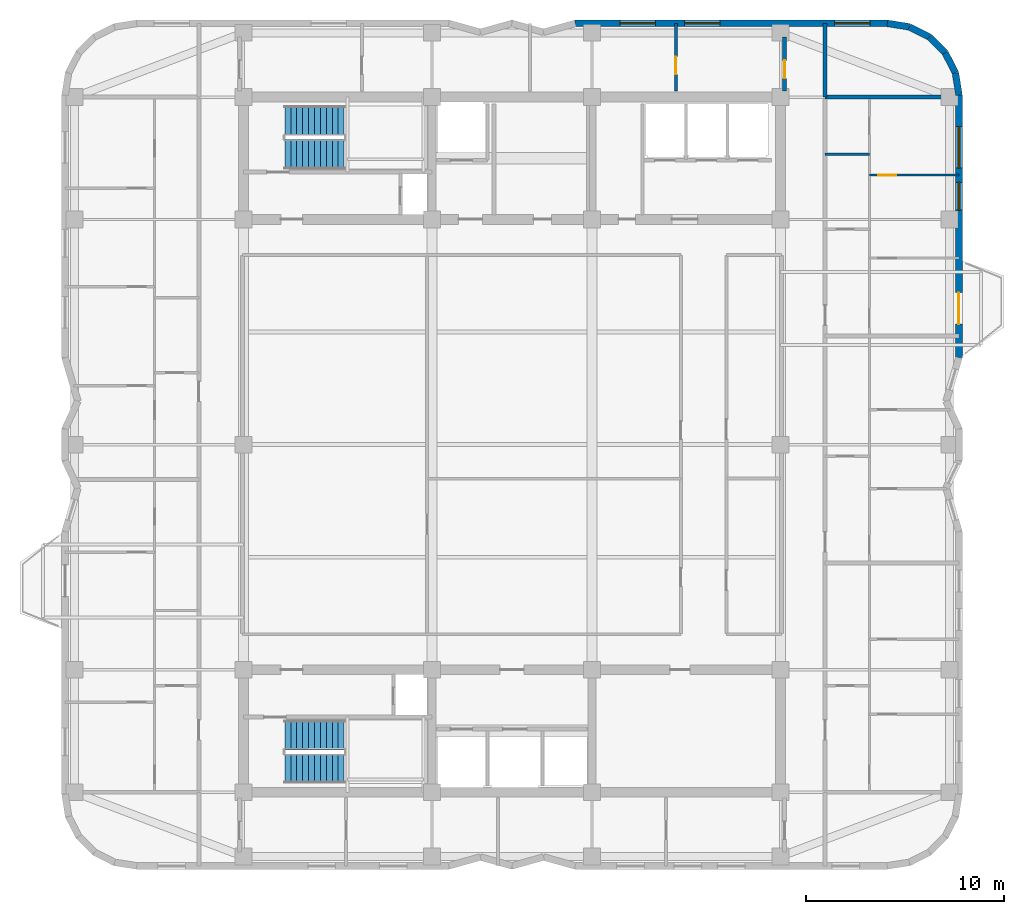
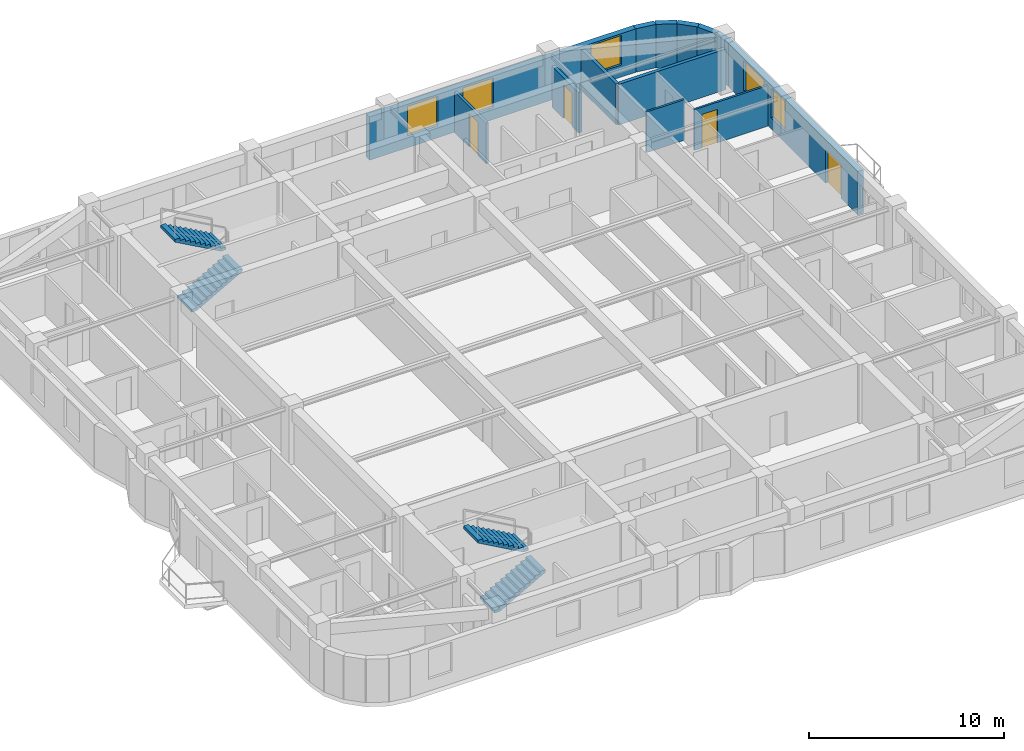
# One storey, part 7 of 9: 13 walls, 5 windows, 4 doors, 4 stair flights, 9 openings, 2 elements without a shape of their own.
"""IFC4 building model written with IfcOpenShell, lengths in metres."""

import ifcopenshell
import ifcopenshell.guid

model = None  # the IFC model being written
_history = None  # IfcOwnerHistory: only IFC2X3 demands one
_inside = {}  # id of a spatial element -> (the spatial element, [elements in it])
_under = {}  # id of a project, library or spatial element -> (it, [spatial elements below it])
_declared = {}  # id of a project -> (the project, [libraries it declares])
_typed = {}  # id of a type object -> (the type object, [elements of that type])
_made_of = {}  # id of a material, layer set ... -> (it, [elements and type objects made of it])


def new_model(schema):
    """Start an empty IFC model of exactly this schema.

    Asked for "IFC4X3", IfcOpenShell would pick the latest addendum, in which some entities
    have other attributes; the version numbers below select the first issue.
    IFC2X3 requires an IfcOwnerHistory on every rooted entity: one is made here for all.
    """
    global model, _history
    if schema == "IFC4X3":
        model = ifcopenshell.file(schema_version=(4, 3, 0, 0))
    else:
        model = ifcopenshell.file(schema=schema)
    _inside.clear()
    _under.clear()
    _declared.clear()
    _typed.clear()
    _made_of.clear()
    _history = None
    if model.schema == "IFC2X3":
        org = make("IfcOrganization", Name="unknown")
        user = make(
            "IfcPersonAndOrganization",
            ThePerson=make("IfcPerson", FamilyName="unknown"),
            TheOrganization=org,
        )
        app = make(
            "IfcApplication",
            ApplicationDeveloper=org,
            Version="unknown",
            ApplicationFullName="unknown",
            ApplicationIdentifier="unknown",
        )
        _history = make(
            "IfcOwnerHistory",
            OwningUser=user,
            OwningApplication=app,
            ChangeAction="ADDED",
            CreationDate=0,
        )
    return model


def make(cls, **values):
    """One entity of the class cls with the attributes given. An attribute that is None is left unset."""
    return model.create_entity(
        cls, **{name: value for name, value in values.items() if value is not None}
    )


def rooted(cls, **values):
    """An entity with a GlobalId (a new one), such as an element, a storey or a relation."""
    return make(cls, GlobalId=ifcopenshell.guid.new(), OwnerHistory=_history, **values)


def si_unit(unit_type, name, prefix=None):
    """IfcSIUnit, for example si_unit("LENGTHUNIT", "METRE", prefix="MILLI")."""
    return make("IfcSIUnit", UnitType=unit_type, Prefix=prefix, Name=name)


def assignment(units):
    """IfcUnitAssignment: the units of a project."""
    return None if units is None else make("IfcUnitAssignment", Units=units)


def point(xyz):
    """IfcCartesianPoint."""
    return None if xyz is None else make("IfcCartesianPoint", Coordinates=xyz)


def direction(xyz):
    """IfcDirection."""
    return None if xyz is None else make("IfcDirection", DirectionRatios=xyz)


def frame(location, z_axis=None, x_axis=None):
    """IfcAxis2Placement3D, a coordinate frame: its origin and axes. An axis left out is left unset."""
    return make(
        "IfcAxis2Placement3D",
        Location=point(location),
        Axis=direction(z_axis),
        RefDirection=direction(x_axis),
    )


def frame_2d(location, x_axis=None):
    """IfcAxis2Placement2D, a coordinate frame in the plane: its origin and x axis."""
    return make(
        "IfcAxis2Placement2D", Location=point(location), RefDirection=direction(x_axis)
    )


def origin():
    """The frame at (0, 0, 0) with its axes left unset."""
    return frame((0.0, 0.0, 0.0))


def place(relative_to, where):
    """IfcLocalPlacement: puts the frame where relative to a parent placement (None: the world)."""
    return make(
        "IfcLocalPlacement", PlacementRelTo=relative_to, RelativePlacement=where
    )


def context(
    kind, dimensions, precision=None, world=None, true_north=None, identifier=None
):
    """IfcGeometricRepresentationContext, for example the 3D "Model" context."""
    return make(
        "IfcGeometricRepresentationContext",
        ContextIdentifier=identifier,
        ContextType=kind,
        CoordinateSpaceDimension=dimensions,
        Precision=precision,
        WorldCoordinateSystem=world,
        TrueNorth=true_north,
    )


def subcontext(parent, identifier, kind, view, scale=None):
    """IfcGeometricRepresentationSubContext, for example "Body" below "Model"."""
    return make(
        "IfcGeometricRepresentationSubContext",
        ContextIdentifier=identifier,
        ContextType=kind,
        ParentContext=parent,
        TargetScale=scale,
        TargetView=view,
    )


def project(units=None, contexts=None):
    """IfcProject with its units and contexts."""
    return rooted(
        "IfcProject",
        Name="project",
        RepresentationContexts=contexts,
        UnitsInContext=assignment(units),
    )


def spatial(cls, under=None, at=None, **own):
    """A site, building, storey or space (cls), placed at a placement, below another one or the project."""
    s = rooted(cls, ObjectPlacement=at, **own)
    if under is not None:
        _under.setdefault(under.id(), (under, []))[1].append(s)
    return s


def polyline(points):
    """IfcPolyline through the points."""
    return make("IfcPolyline", Points=[point(p) for p in points])


def profile(cls, at=None, kind="AREA", **sizes):
    """A parametric profile (cls). Its sizes go by their IFC names, for example OverallWidth=200.0."""
    return make(cls, ProfileType=kind, Position=at, **sizes)


def rectangle(**sizes):
    """IfcRectangleProfileDef."""
    return profile("IfcRectangleProfileDef", **sizes)


def outline(outer, holes=None, kind="AREA"):
    """IfcArbitraryClosedProfileDef: a profile drawn as a closed curve; with holes, ...WithVoids."""
    if holes is None:
        return make("IfcArbitraryClosedProfileDef", ProfileType=kind, OuterCurve=outer)
    return make(
        "IfcArbitraryProfileDefWithVoids",
        ProfileType=kind,
        OuterCurve=outer,
        InnerCurves=holes,
    )


def extrude(swept, where, along, depth):
    """IfcExtrudedAreaSolid: the profile swept, set in the frame where, extruded along a direction by depth."""
    return make(
        "IfcExtrudedAreaSolid",
        SweptArea=swept,
        Position=where,
        ExtrudedDirection=direction(along),
        Depth=depth,
    )


def shape(context_of_items, identifier, shape_type, items):
    """IfcShapeRepresentation: the items that make up one representation, for example the "Body"."""
    return make(
        "IfcShapeRepresentation",
        ContextOfItems=context_of_items,
        RepresentationIdentifier=identifier,
        RepresentationType=shape_type,
        Items=items,
    )


def material(Name=None, Category=None):
    """IfcMaterial."""
    return make("IfcMaterial", Name=Name, Category=Category)


def layer(
    of_material, thickness, ventilated=None, Name=None, Category=None, Priority=None
):
    """IfcMaterialLayer: one layer of a wall or slab, of a material (None: an air gap)."""
    return make(
        "IfcMaterialLayer",
        Material=of_material,
        LayerThickness=thickness,
        IsVentilated=ventilated,
        Name=Name,
        Category=Category,
        Priority=Priority,
    )


def layer_set(layers, Name=None):
    """IfcMaterialLayerSet."""
    return make("IfcMaterialLayerSet", MaterialLayers=layers, LayerSetName=Name)


def made_of(thing, what):
    """Note that an element or type object is made of a material, layer set ...; save() writes the relation."""
    if what is not None:
        _made_of.setdefault(what.id(), (what, []))[1].append(thing)
    return thing


def type_object(cls, material=None, **own):
    """A type object (cls), such as IfcWallType, which elements share."""
    return made_of(rooted(cls, **own), material)


def element(
    cls,
    number,
    at=None,
    inside=None,
    cuts=None,
    type_object=None,
    material=None,
    context=None,
    identifier="Body",
    shape_type=None,
    held_by="IfcProductDefinitionShape",
    body=None,
    shapes=None,
    **own,
):
    """One element of the class cls, such as IfcWall. Its Tag is "e" and its number.

    at: its placement. inside: the storey or other place that contains it. cuts: it is an
    opening in that element (IfcRelVoidsElement). A single representation is given by context,
    identifier, shape_type and body (its items); several are given by shapes. held_by: the class
    of the entity that holds the representations. save() writes the other relations.
    """
    e = rooted(cls, Tag="e%d" % number, ObjectPlacement=at, **own)
    if body is not None:
        shapes = [shape(context, identifier, shape_type, body)]
    if shapes is not None:
        e.Representation = make(held_by, Representations=shapes)
    if inside is not None:
        _inside.setdefault(inside.id(), (inside, []))[1].append(e)
    if cuts is not None:
        rooted(
            "IfcRelVoidsElement", RelatingBuildingElement=cuts, RelatedOpeningElement=e
        )
    if type_object is not None:
        _typed.setdefault(type_object.id(), (type_object, []))[1].append(e)
    return made_of(e, material)


def fill(opening, filler):
    """IfcRelFillsElement: the door or window that sits in an opening."""
    return rooted(
        "IfcRelFillsElement",
        RelatingOpeningElement=opening,
        RelatedBuildingElement=filler,
    )


def aggregate(whole, parts):
    """IfcRelAggregates: a whole, such as a stair, and the parts it consists of."""
    return rooted("IfcRelAggregates", RelatingObject=whole, RelatedObjects=parts)


def save(model, path):
    """Write the relations noted so far, then the file.

    IfcRelAggregates (storeys below a building ...), IfcRelContainedInSpatialStructure (elements
    in a storey), IfcRelDefinesByType, IfcRelAssociatesMaterial and IfcRelDeclares: one each for
    every whole, place, type object, material and project.
    """
    for whole, parts in _under.values():
        aggregate(whole, parts)
    for where, things in _inside.values():
        rooted(
            "IfcRelContainedInSpatialStructure",
            RelatedElements=things,
            RelatingStructure=where,
        )
    for kind, things in _typed.values():
        rooted("IfcRelDefinesByType", RelatedObjects=things, RelatingType=kind)
    for what, things in _made_of.values():
        rooted("IfcRelAssociatesMaterial", RelatedObjects=things, RelatingMaterial=what)
    for by, libraries in _declared.values():
        rooted("IfcRelDeclares", RelatingContext=by, RelatedDefinitions=libraries)
    model.write(path)


model = new_model("IFC4")

# Units and contexts
model_context = context("Model", 3, precision=1e-05, world=origin(), true_north=direction((0.0, 1.0)))
body_context = subcontext(model_context, "Body", "Model", "MODEL_VIEW")
ifc_project = project(units=[si_unit("LENGTHUNIT", "METRE"), si_unit("AREAUNIT", "SQUARE_METRE"), si_unit("VOLUMEUNIT", "CUBIC_METRE"), si_unit("PLANEANGLEUNIT", "RADIAN"), si_unit("MASSUNIT", "GRAM", prefix="KILO")], contexts=[model_context])

# Site, building, storey
site_placement = place(None, origin())
site = spatial("IfcSite", under=ifc_project, at=site_placement, CompositionType="ELEMENT")
building_placement = place(site_placement, origin())
building = spatial("IfcBuilding", under=site, at=building_placement, Name="Svetorya Sky Lyceum", CompositionType="ELEMENT")
storey_placement = place(building_placement, frame((0.0, 0.0, 211.0)))
storey = spatial("IfcBuildingStorey", under=building, at=storey_placement, Name="L52", CompositionType="ELEMENT", Elevation=211.0)

# Wall, openings, door, windows
ifc_material_1 = material(Name="Putilovo limestone rainscreen on autoclaved cellular masonry", Category="masonry")
ifc_layer_1 = layer(ifc_material_1, 0.340087890625)
ifc_layer_set_1 = layer_set([ifc_layer_1], Name="Putilovo limestone rainscreen on autoclaved cellular masonry")
wall_type_1 = type_object("IfcWallType", Name="WL-EXT-340", PredefinedType="SOLIDWALL", material=ifc_layer_set_1)
wall_1_placement = place(storey_placement, frame((61.830078125, 32.60009765625, 0.0), z_axis=(0.0, 0.0, 1.0), x_axis=(0.0, 1.0, 0.0)))
wall_1 = element("IfcWall", 1, at=wall_1_placement, inside=storey, type_object=wall_type_1, Name="L52 Limestone Exterior Wall 23M", PredefinedType="SOLIDWALL", context=body_context, shape_type="SweptSolid", body=[
    extrude(rectangle(XDim=13.2998046875, YDim=0.340087890625, at=frame_2d((6.64990234375, 0.0))), origin(), (0.0, 0.0, 1.0), 2.719970703125),
])
opening_1_placement = place(wall_1_placement, frame((1.699951171875, 0.0, 0.0)))
opening_1 = element("IfcOpeningElement", 2, at=opening_1_placement, cuts=wall_1, Name="Opening D-BL1", PredefinedType="OPENING", context=body_context, shape_type="SweptSolid", body=[
    extrude(rectangle(XDim=1.60009765625, YDim=2.10009765625, at=frame_2d((0.800048828125, 1.050048828125))), frame((0.0, 0.179931640625, 0.0), z_axis=(0.0, -1.0, 0.0), x_axis=(1.0, 0.0, 0.0)), (0.0, 0.0, 1.0), 0.360107421875),
])
opening_2_placement = place(wall_1_placement, frame((7.47998046875, 0.0, 0.7099609375)))
opening_2 = element("IfcOpeningElement", 3, at=opening_2_placement, cuts=wall_1, Name="Opening W-R2", PredefinedType="OPENING", context=body_context, shape_type="SweptSolid", body=[
    extrude(rectangle(XDim=1.39990234375, YDim=1.85009765625, at=frame_2d((0.699951171875, 0.925048828125))), frame((0.0, 0.179931640625, 0.0), z_axis=(0.0, -1.0, 0.0), x_axis=(1.0, 0.0, 0.0)), (0.0, 0.0, 1.0), 0.360107421875),
])
opening_3_placement = place(wall_1_placement, frame((9.60009765625, 0.0, 0.699951171875)))
opening_3 = element("IfcOpeningElement", 4, at=opening_3_placement, cuts=wall_1, Name="Opening W-R0", PredefinedType="OPENING", context=body_context, shape_type="SweptSolid", body=[
    extrude(rectangle(XDim=2.10009765625, YDim=1.89990234375, at=frame_2d((1.050048828125, 0.949951171875))), frame((0.0, 0.179931640625, 0.0), z_axis=(0.0, -1.0, 0.0), x_axis=(1.0, 0.0, 0.0)), (0.0, 0.0, 1.0), 0.360107421875),
])
ifc_material_2 = material(Name="Insulated glazed aluminium balcony door", Category="aluminium")
door_type_1 = type_object("IfcDoorType", Name="DR-BAL-1600", OperationType="DOUBLE_DOOR_SINGLE_SWING", PredefinedType="DOOR", material=ifc_material_2)
door_1_placement = place(opening_1_placement, origin())
door_1 = element("IfcDoor", 5, at=door_1_placement, inside=storey, type_object=door_type_1, Name="L52 Balcony BAL-E1 Door", OperationType="DOUBLE_DOOR_SINGLE_SWING", OverallHeight=2.10009765625, OverallWidth=1.60009765625, PredefinedType="DOOR", context=body_context, shape_type="SweptSolid", body=[
    extrude(rectangle(XDim=1.60009765625, YDim=2.10009765625, at=frame_2d((0.800048828125, 1.050048828125))), frame((0.0, 0.02490234375, 0.0), z_axis=(0.0, -1.0, 0.0), x_axis=(1.0, 0.0, 0.0)), (0.0, 0.0, 1.0), 0.050048828125),
])
fill(opening_1, door_1)
ifc_material_3 = material(Name="Thermally broken aluminium frame with triple low-E glazing", Category="aluminium")
window_type_1 = type_object("IfcWindowType", Name="WN-RES-140", PartitioningType="SINGLE_PANEL", PredefinedType="WINDOW", material=ifc_material_3)
window_1_placement = place(opening_2_placement, origin())
window_1 = element("IfcWindow", 6, at=window_1_placement, inside=storey, type_object=window_type_1, Name="L52 Facade Window W-R2.23M.2", OverallHeight=1.85009765625, OverallWidth=1.39990234375, PartitioningType="SINGLE_PANEL", PredefinedType="WINDOW", context=body_context, shape_type="SweptSolid", body=[
    extrude(rectangle(XDim=1.39990234375, YDim=1.85009765625, at=frame_2d((0.699951171875, 0.925048828125))), frame((0.0, 0.030029296875, 0.0), z_axis=(0.0, -1.0, 0.0), x_axis=(1.0, 0.0, 0.0)), (0.0, 0.0, 1.0), 0.06005859375),
])
fill(opening_2, window_1)
window_type_2 = type_object("IfcWindowType", Name="WN-RES-210", PartitioningType="TRIPLE_PANEL_VERTICAL", PredefinedType="WINDOW", material=ifc_material_3)
window_2_placement = place(opening_3_placement, origin())
window_2 = element("IfcWindow", 7, at=window_2_placement, inside=storey, type_object=window_type_2, Name="L52 Facade Window W-R0.23M.1", OverallHeight=1.89990234375, OverallWidth=2.10009765625, PartitioningType="SINGLE_PANEL", PredefinedType="WINDOW", context=body_context, shape_type="SweptSolid", body=[
    extrude(rectangle(XDim=2.10009765625, YDim=1.89990234375, at=frame_2d((1.050048828125, 0.949951171875))), frame((0.0, 0.030029296875, 0.0), z_axis=(0.0, -1.0, 0.0), x_axis=(1.0, 0.0, 0.0)), (0.0, 0.0, 1.0), 0.06005859375),
])
fill(opening_3, window_2)

# Walls
for number, where, z_axis, x_axis, name in (
    (8, (61.830078125, 45.89990234375, 0.0), (0.0, 0.0, 1.0), (-0.156481329164, 0.987680916907, 0.0), "L52 Limestone Exterior Wall 24M"),
    (9, (61.65234375, 47.021728515625, 0.0), (0.0, 0.0, 1.0), (-0.453993402883, 0.891005044957, 0.0), "L52 Limestone Exterior Wall 25M"),
):
    element("IfcWall", number, at=place(storey_placement, frame(where, z_axis=z_axis, x_axis=x_axis)), inside=storey, type_object=wall_type_1, Name=name, PredefinedType="SOLIDWALL", context=body_context, shape_type="SweptSolid", body=[
        extrude(rectangle(XDim=1.1357421875, YDim=0.340087890625, at=frame_2d((0.56787109375, 0.0))), origin(), (0.0, 0.0, 1.0), 2.719970703125),
    ])
wall_2_placement = place(storey_placement, frame((61.13671875, 48.03369140625, 0.0), z_axis=(0.0, 0.0, 1.0), x_axis=(-0.707106781187, 0.707106781187, 0.0)))
element("IfcWall", 10, at=wall_2_placement, inside=storey, type_object=wall_type_1, Name="L52 Limestone Exterior Wall 26M", PredefinedType="SOLIDWALL", context=body_context, shape_type="SweptSolid", body=[
    extrude(rectangle(XDim=1.135498046875, YDim=0.340087890625, at=frame_2d((0.56787109375, 0.0))), origin(), (0.0, 0.0, 1.0), 2.719970703125),
])
for number, where, z_axis, x_axis, name in (
    (11, (60.333740234375, 48.836669921875, 0.0), (0.0, 0.0, 1.0), (-0.891005044957, 0.453993402883, 0.0), "L52 Limestone Exterior Wall 27M"),
    (12, (59.32177734375, 49.352294921875, 0.0), (0.0, 0.0, 1.0), (-0.987680916907, 0.156481329164, 0.0), "L52 Limestone Exterior Wall 28M"),
):
    element("IfcWall", number, at=place(storey_placement, frame(where, z_axis=z_axis, x_axis=x_axis)), inside=storey, type_object=wall_type_1, Name=name, PredefinedType="SOLIDWALL", context=body_context, shape_type="SweptSolid", body=[
        extrude(rectangle(XDim=1.1357421875, YDim=0.340087890625, at=frame_2d((0.56787109375, 0.0))), origin(), (0.0, 0.0, 1.0), 2.719970703125),
    ])

# Wall, openings, windows
wall_3_placement = place(storey_placement, frame((58.199951171875, 49.530029296875, 0.0), z_axis=(0.0, 0.0, 1.0), x_axis=(-1.0, 0.0, 0.0)))
wall_3 = element("IfcWall", 13, at=wall_3_placement, inside=storey, type_object=wall_type_1, Name="L52 Limestone Exterior Wall 29M", PredefinedType="SOLIDWALL", context=body_context, shape_type="SweptSolid", body=[
    extrude(rectangle(XDim=15.800048828125, YDim=0.340087890625, at=frame_2d((7.89990234375, 0.0))), origin(), (0.0, 0.0, 1.0), 2.719970703125),
])
opening_4_placement = place(wall_3_placement, frame((0.862548828125, 0.0, 0.75)))
opening_4 = element("IfcOpeningElement", 14, at=opening_4_placement, cuts=wall_3, Name="Opening W-R1", PredefinedType="OPENING", context=body_context, shape_type="SweptSolid", body=[
    extrude(rectangle(XDim=1.800048828125, YDim=1.85009765625, at=frame_2d((0.89990234375, 0.925048828125))), frame((0.0, 0.179931640625, 0.0), z_axis=(0.0, -1.0, 0.0), x_axis=(1.0, 0.0, 0.0)), (0.0, 0.0, 1.0), 0.360107421875),
])
opening_5_placement = place(wall_3_placement, frame((8.46240234375, 0.0, 0.75)))
opening_5 = element("IfcOpeningElement", 15, at=opening_5_placement, cuts=wall_3, Name="Opening W-R1", PredefinedType="OPENING", context=body_context, shape_type="SweptSolid", body=[
    extrude(rectangle(XDim=1.800048828125, YDim=1.85009765625, at=frame_2d((0.89990234375, 0.925048828125))), frame((0.0, 0.179931640625, 0.0), z_axis=(0.0, -1.0, 0.0), x_axis=(1.0, 0.0, 0.0)), (0.0, 0.0, 1.0), 0.360107421875),
])
opening_6_placement = place(wall_3_placement, frame((11.737548828125, 0.0, 0.75)))
opening_6 = element("IfcOpeningElement", 16, at=opening_6_placement, cuts=wall_3, Name="Opening W-R1", PredefinedType="OPENING", context=body_context, shape_type="SweptSolid", body=[
    extrude(rectangle(XDim=1.800048828125, YDim=1.85009765625, at=frame_2d((0.89990234375, 0.925048828125))), frame((0.0, 0.179931640625, 0.0), z_axis=(0.0, -1.0, 0.0), x_axis=(1.0, 0.0, 0.0)), (0.0, 0.0, 1.0), 0.360107421875),
])
window_type_3 = type_object("IfcWindowType", Name="WN-RES-180", PartitioningType="DOUBLE_PANEL_VERTICAL", PredefinedType="WINDOW", material=ifc_material_3)
window_3_placement = place(opening_4_placement, origin())
window_3 = element("IfcWindow", 17, at=window_3_placement, inside=storey, type_object=window_type_3, Name="L52 Facade Window W-R1.29M.1", OverallHeight=1.85009765625, OverallWidth=1.800048828125, PartitioningType="SINGLE_PANEL", PredefinedType="WINDOW", context=body_context, shape_type="SweptSolid", body=[
    extrude(rectangle(XDim=1.800048828125, YDim=1.85009765625, at=frame_2d((0.89990234375, 0.925048828125))), frame((0.0, 0.030029296875, 0.0), z_axis=(0.0, -1.0, 0.0), x_axis=(1.0, 0.0, 0.0)), (0.0, 0.0, 1.0), 0.06005859375),
])
fill(opening_4, window_3)
window_4_placement = place(opening_5_placement, origin())
window_4 = element("IfcWindow", 18, at=window_4_placement, inside=storey, type_object=window_type_3, Name="L52 Facade Window W-R1.29M.2", OverallHeight=1.85009765625, OverallWidth=1.800048828125, PartitioningType="SINGLE_PANEL", PredefinedType="WINDOW", context=body_context, shape_type="SweptSolid", body=[
    extrude(rectangle(XDim=1.800048828125, YDim=1.85009765625, at=frame_2d((0.89990234375, 0.925048828125))), frame((0.0, 0.030029296875, 0.0), z_axis=(0.0, -1.0, 0.0), x_axis=(1.0, 0.0, 0.0)), (0.0, 0.0, 1.0), 0.06005859375),
])
fill(opening_5, window_4)
window_5_placement = place(opening_6_placement, origin())
window_5 = element("IfcWindow", 19, at=window_5_placement, inside=storey, type_object=window_type_3, Name="L52 Facade Window W-R1.29M.3", OverallHeight=1.85009765625, OverallWidth=1.800048828125, PartitioningType="SINGLE_PANEL", PredefinedType="WINDOW", context=body_context, shape_type="SweptSolid", body=[
    extrude(rectangle(XDim=1.800048828125, YDim=1.85009765625, at=frame_2d((0.89990234375, 0.925048828125))), frame((0.0, 0.030029296875, 0.0), z_axis=(0.0, -1.0, 0.0), x_axis=(1.0, 0.0, 0.0)), (0.0, 0.0, 1.0), 0.06005859375),
])
fill(opening_6, window_5)

# Wall
ifc_material_4 = material(Name="Twin-stud galvanized framing with double fireboard", Category="gypsum")
ifc_layer_2 = layer(ifc_material_4, 0.1201171875)
ifc_layer_set_2 = layer_set([ifc_layer_2], Name="Twin-stud galvanized framing with double fireboard")
wall_type_2 = type_object("IfcWallType", Name="WL-PART-120", PredefinedType="PARTITIONING", material=ifc_layer_set_2)
wall_4_placement = place(storey_placement, frame((55.050048828125, 42.89990234375, 0.0), z_axis=(0.0, 0.0, 1.0), x_axis=(1.0, 0.0, 0.0)))
element("IfcWall", 20, at=wall_4_placement, inside=storey, type_object=wall_type_2, Name="L52 Interior Partition E3-WH2", PredefinedType="PARTITIONING", context=body_context, shape_type="SweptSolid", body=[
    extrude(rectangle(XDim=2.25, YDim=0.1201171875, at=frame_2d((1.125, 0.0))), origin(), (0.0, 0.0, 1.0), 2.550048828125),
])

# Wall, opening, door
wall_5_placement = place(storey_placement, frame((57.300048828125, 41.85009765625, 0.0), z_axis=(0.0, 0.0, 1.0), x_axis=(1.0, 0.0, 0.0)))
wall_5 = element("IfcWall", 21, at=wall_5_placement, inside=storey, type_object=wall_type_2, Name="L52 Interior Partition E3-WL2", PredefinedType="PARTITIONING", context=body_context, shape_type="SweptSolid", body=[
    extrude(rectangle(XDim=4.530029296875, YDim=0.1201171875, at=frame_2d((2.26513671875, 0.0))), origin(), (0.0, 0.0, 1.0), 2.550048828125),
])
opening_7_placement = place(wall_5_placement, frame((0.449951171875, 0.0, 0.0)))
opening_7 = element("IfcOpeningElement", 22, at=opening_7_placement, cuts=wall_5, Name="Opening D-RM1", PredefinedType="OPENING", context=body_context, shape_type="SweptSolid", body=[
    extrude(rectangle(XDim=0.89990234375, YDim=2.10009765625, at=frame_2d((0.449951171875, 1.050048828125))), frame((0.0, 0.070068359375, 0.0), z_axis=(0.0, -1.0, 0.0), x_axis=(1.0, 0.0, 0.0)), (0.0, 0.0, 1.0), 0.14013671875),
])
ifc_material_5 = material(Name="Lacquered birch veneer internal door")
door_type_2 = type_object("IfcDoorType", Name="DR-INT-900", OperationType="SINGLE_SWING_LEFT", PredefinedType="DOOR", material=ifc_material_5)
door_2_placement = place(opening_7_placement, origin())
door_2 = element("IfcDoor", 23, at=door_2_placement, inside=storey, type_object=door_type_2, Name="Apartment E3 Bedroom 2 Door", OperationType="SINGLE_SWING_LEFT", OverallHeight=2.10009765625, OverallWidth=0.89990234375, PredefinedType="DOOR", context=body_context, shape_type="SweptSolid", body=[
    extrude(rectangle(XDim=0.89990234375, YDim=2.10009765625, at=frame_2d((0.449951171875, 1.050048828125))), frame((0.0, 0.02490234375, 0.0), z_axis=(0.0, -1.0, 0.0), x_axis=(1.0, 0.0, 0.0)), (0.0, 0.0, 1.0), 0.050048828125),
])
fill(opening_7, door_2)

ifc_material_6 = material(Name="Autoclaved cellular masonry blockwork with acoustic render", Category="masonry")
ifc_layer_3 = layer(ifc_material_6, 0.14990234375)
ifc_layer_set_3 = layer_set([ifc_layer_3], Name="Autoclaved cellular masonry blockwork with acoustic render")
wall_type_3 = type_object("IfcWallType", Name="WL-PART-150", PredefinedType="PARTITIONING", material=ifc_layer_set_3)
wall_6_placement = place(storey_placement, frame((47.5, 46.10009765625, 0.0), z_axis=(0.0, 0.0, 1.0), x_axis=(0.0, 1.0, 0.0)))
wall_6 = element("IfcWall", 24, at=wall_6_placement, inside=storey, type_object=wall_type_3, Name="L52 Interior Partition N4-D3", PredefinedType="PARTITIONING", context=body_context, shape_type="SweptSolid", body=[
    extrude(rectangle(XDim=3.429931640625, YDim=0.14990234375, at=frame_2d((1.71484375, 0.0))), origin(), (0.0, 0.0, 1.0), 2.550048828125),
])
opening_8_placement = place(wall_6_placement, frame((0.85009765625, 0.0, 0.0)))
opening_8 = element("IfcOpeningElement", 25, at=opening_8_placement, cuts=wall_6, Name="Opening D-RM1", PredefinedType="OPENING", context=body_context, shape_type="SweptSolid", body=[
    extrude(rectangle(XDim=0.89990234375, YDim=2.10009765625, at=frame_2d((0.449951171875, 1.050048828125))), frame((0.0, 0.0849609375, 0.0), z_axis=(0.0, -1.0, 0.0), x_axis=(1.0, 0.0, 0.0)), (0.0, 0.0, 1.0), 0.169921875),
])
door_3_placement = place(opening_8_placement, origin())
door_3 = element("IfcDoor", 26, at=door_3_placement, inside=storey, type_object=door_type_2, Name="L52 North Suite Door 3", OperationType="SINGLE_SWING_RIGHT", OverallHeight=2.10009765625, OverallWidth=0.89990234375, PredefinedType="DOOR", context=body_context, shape_type="SweptSolid", body=[
    extrude(rectangle(XDim=0.89990234375, YDim=2.10009765625, at=frame_2d((0.449951171875, 1.050048828125))), frame((0.0, 0.02490234375, 0.0), z_axis=(0.0, -1.0, 0.0), x_axis=(1.0, 0.0, 0.0)), (0.0, 0.0, 1.0), 0.050048828125),
])
fill(opening_8, door_3)

# Walls
ifc_material_7 = material(Name="Autoclaved cellular masonry blockwork with gypsum plaster", Category="masonry")
ifc_layer_4 = layer(ifc_material_7, 0.199951171875)
ifc_layer_set_4 = layer_set([ifc_layer_4], Name="Autoclaved cellular masonry blockwork with gypsum plaster")
wall_type_4 = type_object("IfcWallType", Name="WL-PART-200", PredefinedType="PARTITIONING", material=ifc_layer_set_4)
wall_7_placement = place(storey_placement, frame((55.050048828125, 45.800048828125, 0.0), z_axis=(0.0, 0.0, 1.0), x_axis=(1.0, 0.0, 0.0)))
element("IfcWall", 27, at=wall_7_placement, inside=storey, type_object=wall_type_4, Name="L52 Interior Partition E-CAP-N", PredefinedType="PARTITIONING", context=body_context, shape_type="SweptSolid", body=[
    extrude(rectangle(XDim=6.35986328125, YDim=0.199951171875, at=frame_2d((3.179931640625, 0.0))), origin(), (0.0, 0.0, 1.0), 2.550048828125),
])
wall_8_placement = place(storey_placement, frame((55.050048828125, 45.800048828125, 0.0), z_axis=(0.0, 0.0, 1.0), x_axis=(0.0, 1.0, 0.0)))
element("IfcWall", 28, at=wall_8_placement, inside=storey, type_object=wall_type_4, Name="L52 Interior Partition EC-NE-END", PredefinedType="PARTITIONING", context=body_context, shape_type="SweptSolid", body=[
    extrude(rectangle(XDim=3.72998046875, YDim=0.199951171875, at=frame_2d((1.864990234375, 0.0))), origin(), (0.0, 0.0, 1.0), 2.550048828125),
])

# Wall, opening, door
wall_9_placement = place(storey_placement, frame((53.0, 46.10009765625, 0.0), z_axis=(0.0, 0.0, 1.0), x_axis=(0.0, 1.0, 0.0)))
wall_9 = element("IfcWall", 29, at=wall_9_placement, inside=storey, type_object=wall_type_4, Name="L52 Interior Partition N4-EE", PredefinedType="PARTITIONING", context=body_context, shape_type="SweptSolid", body=[
    extrude(rectangle(XDim=2.72998046875, YDim=0.199951171875, at=frame_2d((1.364990234375, 0.0))), origin(), (0.0, 0.0, 1.0), 2.550048828125),
])
opening_9_placement = place(wall_9_placement, frame((0.64990234375, 0.0, 0.0)))
opening_9 = element("IfcOpeningElement", 30, at=opening_9_placement, cuts=wall_9, Name="Opening D-RM1", PredefinedType="OPENING", context=body_context, shape_type="SweptSolid", body=[
    extrude(rectangle(XDim=0.89990234375, YDim=2.10009765625, at=frame_2d((0.449951171875, 1.050048828125))), frame((0.0, 0.10986328125, 0.0), z_axis=(0.0, -1.0, 0.0), x_axis=(1.0, 0.0, 0.0)), (0.0, 0.0, 1.0), 0.219970703125),
])
door_4_placement = place(opening_9_placement, origin())
door_4 = element("IfcDoor", 31, at=door_4_placement, inside=storey, type_object=door_type_2, Name="L52 NE Office Door", OperationType="SINGLE_SWING_LEFT", OverallHeight=2.10009765625, OverallWidth=0.89990234375, PredefinedType="DOOR", context=body_context, shape_type="SweptSolid", body=[
    extrude(rectangle(XDim=0.89990234375, YDim=2.10009765625, at=frame_2d((0.449951171875, 1.050048828125))), frame((0.0, 0.02490234375, 0.0), z_axis=(0.0, -1.0, 0.0), x_axis=(1.0, 0.0, 0.0)), (0.0, 0.0, 1.0), 0.050048828125),
])
fill(opening_9, door_4)

# Stair, stair flights
ifc_material_8 = material(Name="Concrete C40/50", Category="concrete")
stair_type_1 = type_object("IfcStairType", Name="STR-ST-N", PredefinedType="HALF_TURN_STAIR", material=ifc_material_8)
stair_1_placement = place(storey_placement, origin())
stair_1 = element("IfcStair", 32, at=stair_1_placement, inside=storey, type_object=stair_type_1, Name="L52 North Core Smoke-Free Exit Stair N3", PredefinedType="HALF_TURN_STAIR")
stair_flight_type_1 = type_object("IfcStairFlightType", Name="SFL-ST-N", PredefinedType="STRAIGHT", material=ifc_material_8)
stair_flight_1_placement = place(storey_placement, frame((27.699951171875, 42.89990234375, 0.0), z_axis=(0.0, 0.0, 1.0), x_axis=(1.0, 0.0, 0.0)))
stair_flight_1 = element("IfcStairFlight", 33, at=stair_flight_1_placement, type_object=stair_flight_type_1, Name="ST-N flight 1", NumberOfRisers=11, NumberOfTreads=10, PredefinedType="STRAIGHT", RiserHeight=0.168181818, TreadLength=0.3, context=body_context, shape_type="SweptSolid", body=[
    extrude(outline(polyline([(0.0, 0.0), (0.0, 0.168212890625), (0.300048828125, 0.168212890625), (0.300048828125, 0.33642578125), (0.60009765625, 0.33642578125), (0.60009765625, 0.504638671875), (0.89990234375, 0.504638671875), (0.89990234375, 0.672607421875), (1.199951171875, 0.672607421875), (1.199951171875, 0.8408203125), (1.5, 0.8408203125), (1.5, 1.009033203125), (1.800048828125, 1.009033203125), (1.800048828125, 1.17724609375), (2.10009765625, 1.17724609375), (2.10009765625, 1.345458984375), (2.39990234375, 1.345458984375), (2.39990234375, 1.513671875), (2.699951171875, 1.513671875), (2.699951171875, 1.681884765625), (3.0, 1.681884765625), (3.0, 1.85009765625), (3.0, 1.510009765625), (0.306640625, 0.0), (0.0, 0.0)])), frame((0.0, 0.75, 0.0), z_axis=(0.0, -1.0, 0.0), x_axis=(1.0, 0.0, 0.0)), (0.0, 0.0, 1.0), 1.5),
])
stair_flight_2_placement = place(storey_placement, frame((30.699951171875, 44.60009765625, 1.85009765625), z_axis=(0.0, 0.0, 1.0), x_axis=(-1.0, 0.0, 0.0)))
stair_flight_2 = element("IfcStairFlight", 34, at=stair_flight_2_placement, type_object=stair_flight_type_1, Name="ST-N flight 2", NumberOfRisers=11, NumberOfTreads=10, PredefinedType="STRAIGHT", RiserHeight=0.168181818, TreadLength=0.3, context=body_context, shape_type="SweptSolid", body=[
    extrude(outline(polyline([(0.0, 0.0), (0.0, 0.168212890625), (0.300048828125, 0.168212890625), (0.300048828125, 0.33642578125), (0.60009765625, 0.33642578125), (0.60009765625, 0.504638671875), (0.89990234375, 0.504638671875), (0.89990234375, 0.672607421875), (1.199951171875, 0.672607421875), (1.199951171875, 0.8408203125), (1.5, 0.8408203125), (1.5, 1.009033203125), (1.800048828125, 1.009033203125), (1.800048828125, 1.17724609375), (2.10009765625, 1.17724609375), (2.10009765625, 1.345458984375), (2.39990234375, 1.345458984375), (2.39990234375, 1.513671875), (2.699951171875, 1.513671875), (2.699951171875, 1.681884765625), (3.0, 1.681884765625), (3.0, 1.85009765625), (3.0, 1.510009765625), (0.306640625, 0.0), (0.0, 0.0)])), frame((0.0, 0.75, 0.0), z_axis=(0.0, -1.0, 0.0), x_axis=(1.0, 0.0, 0.0)), (0.0, 0.0, 1.0), 1.5),
])
aggregate(stair_1, [stair_flight_1, stair_flight_2])

stair_type_2 = type_object("IfcStairType", Name="STR-ST-S", PredefinedType="HALF_TURN_STAIR", material=ifc_material_8)
stair_2_placement = place(storey_placement, origin())
stair_2 = element("IfcStair", 35, at=stair_2_placement, inside=storey, type_object=stair_type_2, Name="L52 South Core Smoke-Free Exit Stair N2", PredefinedType="HALF_TURN_STAIR")
stair_flight_type_2 = type_object("IfcStairFlightType", Name="SFL-ST-S", PredefinedType="STRAIGHT", material=ifc_material_8)
stair_flight_3_placement = place(storey_placement, frame((27.699951171875, 11.800048828125, 0.0), z_axis=(0.0, 0.0, 1.0), x_axis=(1.0, 0.0, 0.0)))
stair_flight_3 = element("IfcStairFlight", 36, at=stair_flight_3_placement, type_object=stair_flight_type_2, Name="ST-S flight 1", NumberOfRisers=11, NumberOfTreads=10, PredefinedType="STRAIGHT", RiserHeight=0.168181818, TreadLength=0.3, context=body_context, shape_type="SweptSolid", body=[
    extrude(outline(polyline([(0.0, 0.0), (0.0, 0.168212890625), (0.300048828125, 0.168212890625), (0.300048828125, 0.33642578125), (0.60009765625, 0.33642578125), (0.60009765625, 0.504638671875), (0.89990234375, 0.504638671875), (0.89990234375, 0.672607421875), (1.199951171875, 0.672607421875), (1.199951171875, 0.8408203125), (1.5, 0.8408203125), (1.5, 1.009033203125), (1.800048828125, 1.009033203125), (1.800048828125, 1.17724609375), (2.10009765625, 1.17724609375), (2.10009765625, 1.345458984375), (2.39990234375, 1.345458984375), (2.39990234375, 1.513671875), (2.699951171875, 1.513671875), (2.699951171875, 1.681884765625), (3.0, 1.681884765625), (3.0, 1.85009765625), (3.0, 1.510009765625), (0.306640625, 0.0), (0.0, 0.0)])), frame((0.0, 0.75, 0.0), z_axis=(0.0, -1.0, 0.0), x_axis=(1.0, 0.0, 0.0)), (0.0, 0.0, 1.0), 1.5),
])
stair_flight_4_placement = place(storey_placement, frame((30.699951171875, 13.5, 1.85009765625), z_axis=(0.0, 0.0, 1.0), x_axis=(-1.0, 0.0, 0.0)))
stair_flight_4 = element("IfcStairFlight", 37, at=stair_flight_4_placement, type_object=stair_flight_type_2, Name="ST-S flight 2", NumberOfRisers=11, NumberOfTreads=10, PredefinedType="STRAIGHT", RiserHeight=0.168181818, TreadLength=0.3, context=body_context, shape_type="SweptSolid", body=[
    extrude(outline(polyline([(0.0, 0.0), (0.0, 0.168212890625), (0.300048828125, 0.168212890625), (0.300048828125, 0.33642578125), (0.60009765625, 0.33642578125), (0.60009765625, 0.504638671875), (0.89990234375, 0.504638671875), (0.89990234375, 0.672607421875), (1.199951171875, 0.672607421875), (1.199951171875, 0.8408203125), (1.5, 0.8408203125), (1.5, 1.009033203125), (1.800048828125, 1.009033203125), (1.800048828125, 1.17724609375), (2.10009765625, 1.17724609375), (2.10009765625, 1.345458984375), (2.39990234375, 1.345458984375), (2.39990234375, 1.513671875), (2.699951171875, 1.513671875), (2.699951171875, 1.681884765625), (3.0, 1.681884765625), (3.0, 1.85009765625), (3.0, 1.510009765625), (0.306640625, 0.0), (0.0, 0.0)])), frame((0.0, 0.75, 0.0), z_axis=(0.0, -1.0, 0.0), x_axis=(1.0, 0.0, 0.0)), (0.0, 0.0, 1.0), 1.5),
])
aggregate(stair_2, [stair_flight_3, stair_flight_4])

save(model, "model.ifc")
